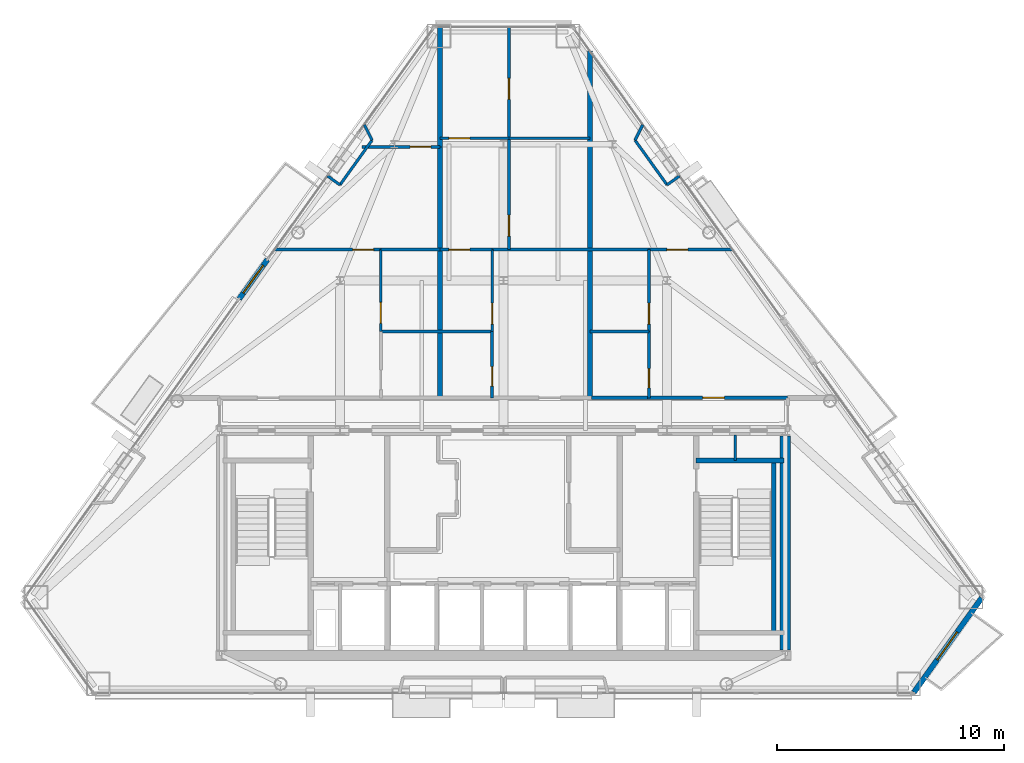
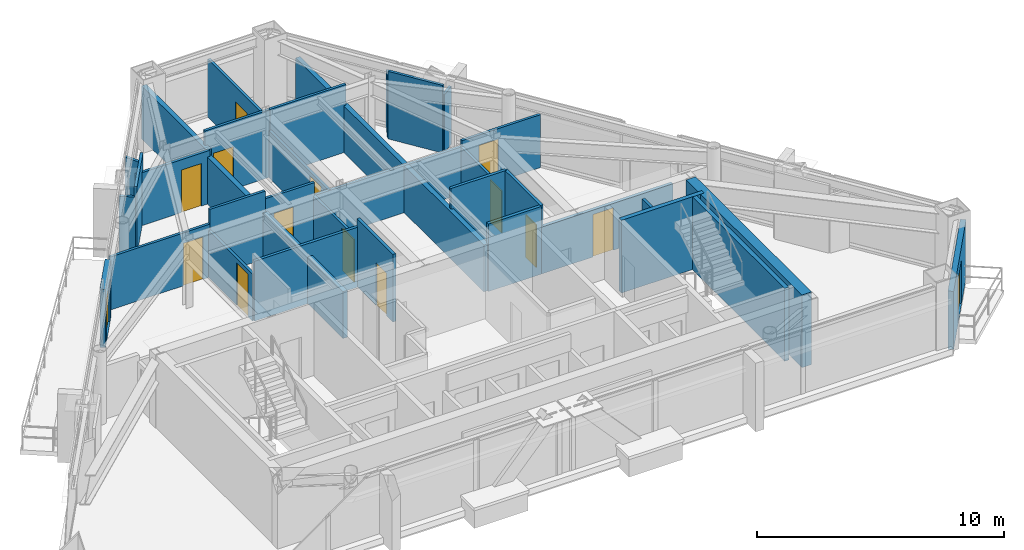
# One storey, part 9 of 12: 34 walls, 15 doors, 15 openings.
"""IFC4 building model written with IfcOpenShell, lengths in metres."""

from ifc_helpers import new_model, si_unit, direction, frame, frame_2d, origin, place, context, subcontext, project, spatial, rectangle, extrude, material, layer, layer_set, type_object, element, fill, save


model = new_model("IFC4")

# Units and contexts
model_context = context("Model", 3, precision=1e-05, world=origin(), true_north=direction((0.0, 1.0)))
body_context = subcontext(model_context, "Body", "Model", "MODEL_VIEW")
ifc_project = project(units=[si_unit("LENGTHUNIT", "METRE"), si_unit("AREAUNIT", "SQUARE_METRE"), si_unit("VOLUMEUNIT", "CUBIC_METRE"), si_unit("PLANEANGLEUNIT", "RADIAN"), si_unit("MASSUNIT", "GRAM", prefix="KILO")], contexts=[model_context])

# Site, building, storey
site_placement = place(None, origin())
site = spatial("IfcSite", under=ifc_project, at=site_placement, CompositionType="ELEMENT")
building_placement = place(site_placement, origin())
building = spatial("IfcBuilding", under=site, at=building_placement, Name="Talgorran Terracotta Tower", CompositionType="ELEMENT")
storey_placement = place(building_placement, frame((0.0, 0.0, 221.699951171875)))
storey = spatial("IfcBuildingStorey", under=building, at=storey_placement, Name="L58", CompositionType="ELEMENT", Elevation=221.699951171875)

# Wall, opening, door
ifc_material_1 = material(Name="Concrete C40/50", Category="concrete")
ifc_layer_1 = layer(ifc_material_1, 0.239990234375, Name="WT_BALCONY_SPAND")
ifc_layer_set_1 = layer_set([ifc_layer_1], Name="Concrete C40/50")
wall_type_1 = type_object("IfcWallType", Name="WT_BALCONY_SPAND", PredefinedType="STANDARD", material=ifc_layer_set_1)
wall_1_placement = place(storey_placement, frame((-10.3896484375, 3.3251953125, -0.014892578125), z_axis=(0.0, 0.0, 1.0), x_axis=(-0.583092889468, -0.812405491274, 0.0)))
wall_1 = element("IfcWall", 1, at=wall_1_placement, inside=storey, type_object=wall_type_1, Name="WL-L58-BALP-BAL-NW", PredefinedType="STANDARD", context=body_context, shape_type="SweptSolid", body=[
    extrude(rectangle(XDim=2.139892578125, YDim=0.239990234375, at=frame_2d((1.06982421875, 0.0))), origin(), (0.0, 0.0, 1.0), 2.8779296875),
])
opening_1_placement = place(wall_1_placement, frame((0.320068359375, 0.0, 0.014892578125)))
opening_1 = element("IfcOpeningElement", 2, at=opening_1_placement, cuts=wall_1, Name="Opening D-BAL-L58-2", PredefinedType="OPENING", context=body_context, shape_type="SweptSolid", body=[
    extrude(rectangle(XDim=1.506, YDim=2.203951171875, at=frame_2d((0.75, 1.10205078125))), frame((0.0, 0.1298828125, 0.0), z_axis=(0.0, -1.0, 0.0), x_axis=(1.0, 0.0, 0.0)), (0.0, 0.0, 1.0), 0.260009765625),
])
ifc_material_2 = material(Name="Thermally Broken Aluminium", Category="aluminium")
door_type_1 = type_object("IfcDoorType", Name="DT_BALC_1500", OperationType="SLIDING_TO_RIGHT", PredefinedType="DOOR", material=ifc_material_2)
door_1_placement = place(opening_1_placement, origin())
door_1 = element("IfcDoor", 3, at=door_1_placement, inside=storey, type_object=door_type_1, Name="DR-L58-BAL-BAL-NW", OperationType="SLIDING_TO_RIGHT", OverallHeight=2.199951171875, OverallWidth=1.5, PredefinedType="DOOR", context=body_context, shape_type="SweptSolid", body=[
    extrude(rectangle(XDim=1.5, YDim=2.199951171875, at=frame_2d((0.75, 1.10009765625))), frame((0.0, 0.02490234375, 0.0), z_axis=(0.0, -1.0, 0.0), x_axis=(1.0, 0.0, 0.0)), (0.0, 0.0, 1.0), 0.050048828125),
])
fill(opening_1, door_1)

wall_2_placement = place(storey_placement, frame((18.05859375, -15.7197265625, -0.014892578125), z_axis=(0.0, 0.0, 1.0), x_axis=(0.583136392473, 0.812374265824, 0.0)))
wall_2 = element("IfcWall", 4, at=wall_2_placement, inside=storey, type_object=wall_type_1, Name="WL-L58-BALP-BAL-SE", PredefinedType="STANDARD", context=body_context, shape_type="SweptSolid", body=[
    extrude(rectangle(XDim=5.105712890625, YDim=0.239990234375, at=frame_2d((2.552734375, 0.0))), origin(), (0.0, 0.0, 1.0), 2.8779296875),
])
opening_2_placement = place(wall_2_placement, frame((1.7587890625, 0.0, 0.014892578125)))
opening_2 = element("IfcOpeningElement", 5, at=opening_2_placement, cuts=wall_2, Name="Opening D-BAL-L58-3", PredefinedType="OPENING", context=body_context, shape_type="SweptSolid", body=[
    extrude(rectangle(XDim=1.506, YDim=2.203951171875, at=frame_2d((0.75, 1.10205078125))), frame((0.0, 0.1298828125, 0.0), z_axis=(0.0, -1.0, 0.0), x_axis=(1.0, 0.0, 0.0)), (0.0, 0.0, 1.0), 0.260009765625),
])
door_2_placement = place(opening_2_placement, origin())
door_2 = element("IfcDoor", 6, at=door_2_placement, inside=storey, type_object=door_type_1, Name="DR-L58-BAL-BAL-SE", OperationType="SLIDING_TO_RIGHT", OverallHeight=2.199951171875, OverallWidth=1.5, PredefinedType="DOOR", context=body_context, shape_type="SweptSolid", body=[
    extrude(rectangle(XDim=1.5, YDim=2.199951171875, at=frame_2d((0.75, 1.10009765625))), frame((0.0, 0.02490234375, 0.0), z_axis=(0.0, -1.0, 0.0), x_axis=(1.0, 0.0, 0.0)), (0.0, 0.0, 1.0), 0.050048828125),
])
fill(opening_2, door_2)

# Walls
ifc_material_3 = material(Name="Concrete C50/60", Category="concrete")
ifc_layer_2 = layer(ifc_material_3, 0.199951171875, Name="WT_CORE_200")
ifc_layer_set_2 = layer_set([ifc_layer_2], Name="Concrete C50/60")
wall_type_2 = type_object("IfcWallType", Name="WT_CORE_200", PredefinedType="SOLIDWALL", material=ifc_layer_set_2)
wall_3_placement = place(storey_placement, frame((8.47998046875, -5.52001953125, 0.0), z_axis=(0.0, 0.0, 1.0), x_axis=(1.0, 0.0, 0.0)))
element("IfcWall", 7, at=wall_3_placement, inside=storey, type_object=wall_type_2, Name="WL-L58-CW-ST2-N", PredefinedType="SOLIDWALL", context=body_context, shape_type="SweptSolid", body=[
    extrude(rectangle(XDim=3.8701171875, YDim=0.199951171875, at=frame_2d((1.93505859375, 0.0))), origin(), (0.0, 0.0, 1.0), 3.60009765625),
])
wall_4_placement = place(storey_placement, frame((11.89990234375, -13.10009765625, 0.0), z_axis=(0.0, 0.0, 1.0), x_axis=(0.0, 1.0, 0.0)))
element("IfcWall", 8, at=wall_4_placement, inside=storey, type_object=wall_type_2, Name="WL-L58-CW-ST2-E", PredefinedType="SOLIDWALL", context=body_context, shape_type="SweptSolid", body=[
    extrude(rectangle(XDim=7.580078125, YDim=0.199951171875, at=frame_2d((3.7900390625, 0.0))), origin(), (0.0, 0.0, 1.0), 3.60009765625),
])
ifc_material_4 = material(Name="Concrete C65/80", Category="concrete")
ifc_layer_3 = layer(ifc_material_4, 0.449951171875, Name="WT_CORE_EXT")
ifc_layer_set_3 = layer_set([ifc_layer_3], Name="Concrete C65/80")
wall_type_3 = type_object("IfcWallType", Name="WT_CORE_EXT", PredefinedType="SHEAR", material=ifc_layer_set_3)
wall_5_placement = place(storey_placement, frame((12.39990234375, -13.85009765625, 0.0), z_axis=(0.0, 0.0, 1.0), x_axis=(0.0, 1.0, 0.0)))
element("IfcWall", 9, at=wall_5_placement, inside=storey, type_object=wall_type_3, Name="WL-L58-CW-OUT-E", PredefinedType="SHEAR", context=body_context, shape_type="SweptSolid", body=[
    extrude(rectangle(XDim=9.400146484375, YDim=0.449951171875, at=frame_2d((4.7001953125, 0.0))), origin(), (0.0, 0.0, 1.0), 3.60009765625),
])

# Wall, opening, door
ifc_material_5 = material(Name="Fire-Rated Steel Stud Plasterboard", Category="steel")
ifc_layer_4 = layer(ifc_material_5, 0.14990234375, Name="WT_FIRE_150")
ifc_layer_set_4 = layer_set([ifc_layer_4], Name="Fire-Rated Steel Stud Plasterboard")
wall_type_4 = type_object("IfcWallType", Name="WT_FIRE_150", PredefinedType="PARTITIONING", material=ifc_layer_set_4)
wall_6_placement = place(storey_placement, frame((6.340087890625, -2.760009765625, 0.0), z_axis=(0.0, 0.0, 1.0), x_axis=(1.0, 0.0, 0.0)))
wall_6 = element("IfcWall", 10, at=wall_6_placement, inside=storey, type_object=wall_type_4, Name="WL-L58-W-L58-R08", PredefinedType="PARTITIONING", context=body_context, shape_type="SweptSolid", body=[
    extrude(rectangle(XDim=6.159912109375, YDim=0.14990234375, at=frame_2d((3.080078125, 0.0))), origin(), (0.0, 0.0, 1.0), 2.320068359375),
])
opening_3_placement = place(wall_6_placement, frame((2.426025390625, 0.0, 0.0)))
opening_3 = element("IfcOpeningElement", 11, at=opening_3_placement, cuts=wall_6, Name="Opening DR-L58-R16", PredefinedType="OPENING", context=body_context, shape_type="SweptSolid", body=[
    extrude(rectangle(XDim=0.955951171875, YDim=2.10409765625, at=frame_2d((0.47509765625, 1.052001953125))), frame((0.0, 0.0849609375, 0.0), z_axis=(0.0, -1.0, 0.0), x_axis=(1.0, 0.0, 0.0)), (0.0, 0.0, 1.0), 0.169921875),
])
ifc_material_6 = material(Name="Fire-Rated Timber Core", Category="wood")
door_type_2 = type_object("IfcDoorType", Name="DT_FIRE_950", OperationType="NOTDEFINED", PredefinedType="DOOR", material=ifc_material_6)
door_3_placement = place(opening_3_placement, origin())
door_3 = element("IfcDoor", 12, at=door_3_placement, inside=storey, type_object=door_type_2, Name="DR-L58-R16", OperationType="SINGLE_SWING_RIGHT", OverallHeight=2.10009765625, OverallWidth=0.949951171875, PredefinedType="DOOR", context=body_context, shape_type="SweptSolid", body=[
    extrude(rectangle(XDim=0.949951171875, YDim=2.10009765625, at=frame_2d((0.47509765625, 1.050048828125))), frame((0.0, 0.02490234375, 0.0), z_axis=(0.0, -1.0, 0.0), x_axis=(1.0, 0.0, 0.0)), (0.0, 0.0, 1.0), 0.050048828125),
])
fill(opening_3, door_3)

# Walls
wall_7_placement = place(storey_placement, frame((3.862060546875, -2.760009765625, 0.0), z_axis=(0.0, 0.0, 1.0), x_axis=(1.0, 0.0, 0.0)))
element("IfcWall", 13, at=wall_7_placement, inside=storey, type_object=wall_type_4, Name="WL-L58-W-L58-R07", PredefinedType="PARTITIONING", context=body_context, shape_type="SweptSolid", body=[
    extrude(rectangle(XDim=2.475830078125, YDim=0.14990234375, at=frame_2d((1.23779296875, 0.0))), origin(), (0.0, 0.0, 1.0), 3.344970703125),
])
ifc_material_7 = material(Name="Acoustic Masonry and Plasterboard", Category="masonry")
ifc_layer_5 = layer(ifc_material_7, 0.219970703125, Name="WT_PARTY_220")
ifc_layer_set_5 = layer_set([ifc_layer_5], Name="Acoustic Masonry and Plasterboard")
wall_type_5 = type_object("IfcWallType", Name="WT_PARTY_220", PredefinedType="PARTITIONING", material=ifc_layer_set_5)
wall_8_placement = place(storey_placement, frame((-2.800048828125, 8.280029296875, 0.0), z_axis=(0.0, 0.0, 1.0), x_axis=(0.0, 1.0, 0.0)))
element("IfcWall", 14, at=wall_8_placement, inside=storey, type_object=wall_type_5, Name="WL-L58-W-L58-R21", PredefinedType="PARTITIONING", context=body_context, shape_type="SweptSolid", body=[
    extrude(rectangle(XDim=5.27294921875, YDim=0.219970703125, at=frame_2d((2.636474609375, 0.0))), origin(), (0.0, 0.0, 1.0), 2.6201171875),
])
wall_9_placement = place(storey_placement, frame((3.800048828125, -2.760009765625, 0.0), z_axis=(0.0, 0.0, 1.0), x_axis=(0.0, 1.0, 0.0)))
element("IfcWall", 15, at=wall_9_placement, inside=storey, type_object=wall_type_5, Name="WL-L58-W-L58-R33", PredefinedType="PARTITIONING", context=body_context, shape_type="SweptSolid", body=[
    extrude(rectangle(XDim=15.265625, YDim=0.219970703125, at=frame_2d((7.6328125, 0.0))), origin(), (0.0, 0.0, 1.0), 2.320068359375),
])
wall_10_placement = place(storey_placement, frame((-2.800048828125, -2.760009765625, 0.0), z_axis=(0.0, 0.0, 1.0), x_axis=(0.0, 1.0, 0.0)))
element("IfcWall", 16, at=wall_10_placement, inside=storey, type_object=wall_type_5, Name="WL-L58-W-L58-R19", PredefinedType="PARTITIONING", context=body_context, shape_type="SweptSolid", body=[
    extrude(rectangle(XDim=11.0400390625, YDim=0.219970703125, at=frame_2d((5.52001953125, 0.0))), origin(), (0.0, 0.0, 1.0), 2.320068359375),
])
ifc_material_8 = material(Name="Insulated Steel Stud Plasterboard", Category="steel")
ifc_layer_6 = layer(ifc_material_8, 0.1201171875, Name="WT_PART_120")
ifc_layer_set_6 = layer_set([ifc_layer_6], Name="Insulated Steel Stud Plasterboard")
wall_type_6 = type_object("IfcWallType", Name="WT_PART_120", PredefinedType="PARTITIONING", material=ifc_layer_set_6)
wall_11_placement = place(storey_placement, frame((10.199951171875, -5.52001953125, 0.0), z_axis=(0.0, 0.0, 1.0), x_axis=(0.0, 1.0, 0.0)))
element("IfcWall", 17, at=wall_11_placement, inside=storey, type_object=wall_type_6, Name="WL-L58-CW-CSE-DIV", PredefinedType="PARTITIONING", context=body_context, shape_type="SweptSolid", body=[
    extrude(rectangle(XDim=1.1201171875, YDim=0.1201171875, at=frame_2d((0.56005859375, 0.0))), origin(), (0.0, 0.0, 1.0), 3.344970703125),
])

# Wall, opening, door
wall_12_placement = place(storey_placement, frame((0.239990234375, 3.760009765625, 0.0), z_axis=(0.0, 0.0, 1.0), x_axis=(0.0, 1.0, 0.0)))
wall_12 = element("IfcWall", 18, at=wall_12_placement, inside=storey, type_object=wall_type_6, Name="WL-L58-W-L58-R30", PredefinedType="PARTITIONING", context=body_context, shape_type="SweptSolid", body=[
    extrude(rectangle(XDim=4.89990234375, YDim=0.1201171875, at=frame_2d((2.449951171875, 0.0))), origin(), (0.0, 0.0, 1.0), 2.320068359375),
])
opening_4_placement = place(wall_12_placement, frame((0.597412109375, 0.0, 0.0)))
opening_4 = element("IfcOpeningElement", 19, at=opening_4_placement, cuts=wall_12, Name="Opening DR-L58-R12", PredefinedType="OPENING", context=body_context, shape_type="SweptSolid", body=[
    extrude(rectangle(XDim=0.925921875, YDim=2.10409765625, at=frame_2d((0.4599609375, 1.052001953125))), frame((0.0, 0.070068359375, 0.0), z_axis=(0.0, -1.0, 0.0), x_axis=(1.0, 0.0, 0.0)), (0.0, 0.0, 1.0), 0.14013671875),
])
ifc_material_9 = material(Name="Solid-Core Painted Timber", Category="wood")
door_type_3 = type_object("IfcDoorType", Name="DT_INT_920", OperationType="NOTDEFINED", PredefinedType="DOOR", material=ifc_material_9)
door_4_placement = place(opening_4_placement, origin())
door_4 = element("IfcDoor", 20, at=door_4_placement, inside=storey, type_object=door_type_3, Name="DR-L58-R12", OperationType="SINGLE_SWING_RIGHT", OverallHeight=2.10009765625, OverallWidth=0.919921875, PredefinedType="DOOR", context=body_context, shape_type="SweptSolid", body=[
    extrude(rectangle(XDim=0.919921875, YDim=2.10009765625, at=frame_2d((0.4599609375, 1.050048828125))), frame((0.0, 0.02490234375, 0.0), z_axis=(0.0, -1.0, 0.0), x_axis=(1.0, 0.0, 0.0)), (0.0, 0.0, 1.0), 0.050048828125),
])
fill(opening_4, door_4)

wall_13_placement = place(storey_placement, frame((0.239990234375, 8.659912109375, 0.0), z_axis=(0.0, 0.0, 1.0), x_axis=(0.0, 1.0, 0.0)))
wall_13 = element("IfcWall", 21, at=wall_13_placement, inside=storey, type_object=wall_type_6, Name="WL-L58-W-L58-R34", PredefinedType="PARTITIONING", context=body_context, shape_type="SweptSolid", body=[
    extrude(rectangle(XDim=4.89306640625, YDim=0.1201171875, at=frame_2d((2.446533203125, 0.0))), origin(), (0.0, 0.0, 1.0), 2.863037109375),
])
opening_5_placement = place(wall_13_placement, frame((1.717041015625, 0.0, 0.0)))
opening_5 = element("IfcOpeningElement", 22, at=opening_5_placement, cuts=wall_13, Name="Opening DR-L58-R13", PredefinedType="OPENING", context=body_context, shape_type="SweptSolid", body=[
    extrude(rectangle(XDim=0.925921875, YDim=2.10409765625, at=frame_2d((0.4599609375, 1.052001953125))), frame((0.0, 0.070068359375, 0.0), z_axis=(0.0, -1.0, 0.0), x_axis=(1.0, 0.0, 0.0)), (0.0, 0.0, 1.0), 0.14013671875),
])
door_5_placement = place(opening_5_placement, origin())
door_5 = element("IfcDoor", 23, at=door_5_placement, inside=storey, type_object=door_type_3, Name="DR-L58-R13", OperationType="SINGLE_SWING_LEFT", OverallHeight=2.10009765625, OverallWidth=0.919921875, PredefinedType="DOOR", context=body_context, shape_type="SweptSolid", body=[
    extrude(rectangle(XDim=0.919921875, YDim=2.10009765625, at=frame_2d((0.4599609375, 1.050048828125))), frame((0.0, 0.02490234375, 0.0), z_axis=(0.0, -1.0, 0.0), x_axis=(1.0, 0.0, 0.0)), (0.0, 0.0, 1.0), 0.050048828125),
])
fill(opening_5, door_5)

wall_14_placement = place(storey_placement, frame((-10.077392578125, 3.760009765625, 0.0), z_axis=(0.0, 0.0, 1.0), x_axis=(1.0, 0.0, 0.0)))
wall_14 = element("IfcWall", 24, at=wall_14_placement, inside=storey, type_object=wall_type_6, Name="WL-L58-W-L58-R17", PredefinedType="PARTITIONING", context=body_context, shape_type="SweptSolid", body=[
    extrude(rectangle(XDim=4.677490234375, YDim=0.1201171875, at=frame_2d((2.3388671875, 0.0))), origin(), (0.0, 0.0, 1.0), 2.6201171875),
])
opening_6_placement = place(wall_14_placement, frame((3.43896484375, 0.0, 0.0)))
opening_6 = element("IfcOpeningElement", 25, at=opening_6_placement, cuts=wall_14, Name="Opening DR-L58-R06", PredefinedType="OPENING", context=body_context, shape_type="SweptSolid", body=[
    extrude(rectangle(XDim=0.925921875, YDim=2.10409765625, at=frame_2d((0.4599609375, 1.052001953125))), frame((0.0, 0.070068359375, 0.0), z_axis=(0.0, -1.0, 0.0), x_axis=(1.0, 0.0, 0.0)), (0.0, 0.0, 1.0), 0.14013671875),
])
door_6_placement = place(opening_6_placement, origin())
door_6 = element("IfcDoor", 26, at=door_6_placement, inside=storey, type_object=door_type_3, Name="DR-L58-R06", OperationType="SINGLE_SWING_RIGHT", OverallHeight=2.10009765625, OverallWidth=0.919921875, PredefinedType="DOOR", context=body_context, shape_type="SweptSolid", body=[
    extrude(rectangle(XDim=0.919921875, YDim=2.10009765625, at=frame_2d((0.4599609375, 1.050048828125))), frame((0.0, 0.02490234375, 0.0), z_axis=(0.0, -1.0, 0.0), x_axis=(1.0, 0.0, 0.0)), (0.0, 0.0, 1.0), 0.050048828125),
])
fill(opening_6, door_6)

wall_15_placement = place(storey_placement, frame((6.39990234375, 3.760009765625, 0.0), z_axis=(0.0, 0.0, 1.0), x_axis=(1.0, 0.0, 0.0)))
wall_15 = element("IfcWall", 27, at=wall_15_placement, inside=storey, type_object=wall_type_6, Name="WL-L58-W-L58-R40", PredefinedType="PARTITIONING", context=body_context, shape_type="SweptSolid", body=[
    extrude(rectangle(XDim=3.677490234375, YDim=0.1201171875, at=frame_2d((1.8388671875, 0.0))), origin(), (0.0, 0.0, 1.0), 2.6201171875),
])
opening_7_placement = place(wall_15_placement, frame((0.790771484375, 0.0, 0.0)))
opening_7 = element("IfcOpeningElement", 28, at=opening_7_placement, cuts=wall_15, Name="Opening DR-L58-R17", PredefinedType="OPENING", context=body_context, shape_type="SweptSolid", body=[
    extrude(rectangle(XDim=0.925921875, YDim=2.10409765625, at=frame_2d((0.4599609375, 1.052001953125))), frame((0.0, 0.070068359375, 0.0), z_axis=(0.0, -1.0, 0.0), x_axis=(1.0, 0.0, 0.0)), (0.0, 0.0, 1.0), 0.14013671875),
])
door_7_placement = place(opening_7_placement, origin())
door_7 = element("IfcDoor", 29, at=door_7_placement, inside=storey, type_object=door_type_3, Name="DR-L58-R17", OperationType="SINGLE_SWING_LEFT", OverallHeight=2.10009765625, OverallWidth=0.919921875, PredefinedType="DOOR", context=body_context, shape_type="SweptSolid", body=[
    extrude(rectangle(XDim=0.919921875, YDim=2.10009765625, at=frame_2d((0.4599609375, 1.050048828125))), frame((0.0, 0.02490234375, 0.0), z_axis=(0.0, -1.0, 0.0), x_axis=(1.0, 0.0, 0.0)), (0.0, 0.0, 1.0), 0.050048828125),
])
fill(opening_7, door_7)

# Wall
wall_16_placement = place(storey_placement, frame((-0.5, 3.760009765625, 0.0), z_axis=(0.0, 0.0, 1.0), x_axis=(1.0, 0.0, 0.0)))
element("IfcWall", 30, at=wall_16_placement, inside=storey, type_object=wall_type_6, Name="WL-L58-W-L58-R27", PredefinedType="PARTITIONING", context=body_context, shape_type="SweptSolid", body=[
    extrude(rectangle(XDim=6.89990234375, YDim=0.1201171875, at=frame_2d((3.449951171875, 0.0))), origin(), (0.0, 0.0, 1.0), 2.320068359375),
])

# Wall, opening, door
wall_17_placement = place(storey_placement, frame((-5.39990234375, 0.159912109375, 0.0), z_axis=(0.0, 0.0, 1.0), x_axis=(0.0, 1.0, 0.0)))
wall_17 = element("IfcWall", 31, at=wall_17_placement, inside=storey, type_object=wall_type_6, Name="WL-L58-W-L58-R14", PredefinedType="PARTITIONING", context=body_context, shape_type="SweptSolid", body=[
    extrude(rectangle(XDim=3.60009765625, YDim=0.1201171875, at=frame_2d((1.800048828125, 0.0))), origin(), (0.0, 0.0, 1.0), 2.320068359375),
])
opening_8_placement = place(wall_17_placement, frame((0.360107421875, 0.0, 0.0)))
opening_8 = element("IfcOpeningElement", 32, at=opening_8_placement, cuts=wall_17, Name="Opening DR-L58-R04", PredefinedType="OPENING", context=body_context, shape_type="SweptSolid", body=[
    extrude(rectangle(XDim=0.925921875, YDim=2.10409765625, at=frame_2d((0.4599609375, 1.052001953125))), frame((0.0, 0.070068359375, 0.0), z_axis=(0.0, -1.0, 0.0), x_axis=(1.0, 0.0, 0.0)), (0.0, 0.0, 1.0), 0.14013671875),
])
door_8_placement = place(opening_8_placement, origin())
door_8 = element("IfcDoor", 33, at=door_8_placement, inside=storey, type_object=door_type_3, Name="DR-L58-R04", OperationType="SINGLE_SWING_RIGHT", OverallHeight=2.10009765625, OverallWidth=0.919921875, PredefinedType="DOOR", context=body_context, shape_type="SweptSolid", body=[
    extrude(rectangle(XDim=0.919921875, YDim=2.10009765625, at=frame_2d((0.4599609375, 1.050048828125))), frame((0.0, 0.02490234375, 0.0), z_axis=(0.0, -1.0, 0.0), x_axis=(1.0, 0.0, 0.0)), (0.0, 0.0, 1.0), 0.050048828125),
])
fill(opening_8, door_8)

wall_18_placement = place(storey_placement, frame((-0.5, 0.159912109375, 0.0), z_axis=(0.0, 0.0, 1.0), x_axis=(0.0, 1.0, 0.0)))
wall_18 = element("IfcWall", 34, at=wall_18_placement, inside=storey, type_object=wall_type_6, Name="WL-L58-W-L58-R24", PredefinedType="PARTITIONING", context=body_context, shape_type="SweptSolid", body=[
    extrude(rectangle(XDim=3.60009765625, YDim=0.1201171875, at=frame_2d((1.800048828125, 0.0))), origin(), (0.0, 0.0, 1.0), 2.320068359375),
])
opening_9_placement = place(wall_18_placement, frame((0.320068359375, 0.0, 0.0)))
opening_9 = element("IfcOpeningElement", 35, at=opening_9_placement, cuts=wall_18, Name="Opening DR-L58-R09", PredefinedType="OPENING", context=body_context, shape_type="SweptSolid", body=[
    extrude(rectangle(XDim=0.925921875, YDim=2.10409765625, at=frame_2d((0.4599609375, 1.052001953125))), frame((0.0, 0.070068359375, 0.0), z_axis=(0.0, -1.0, 0.0), x_axis=(1.0, 0.0, 0.0)), (0.0, 0.0, 1.0), 0.14013671875),
])
door_9_placement = place(opening_9_placement, origin())
door_9 = element("IfcDoor", 36, at=door_9_placement, inside=storey, type_object=door_type_3, Name="DR-L58-R09", OperationType="SINGLE_SWING_LEFT", OverallHeight=2.10009765625, OverallWidth=0.919921875, PredefinedType="DOOR", context=body_context, shape_type="SweptSolid", body=[
    extrude(rectangle(XDim=0.919921875, YDim=2.10009765625, at=frame_2d((0.4599609375, 1.050048828125))), frame((0.0, 0.02490234375, 0.0), z_axis=(0.0, -1.0, 0.0), x_axis=(1.0, 0.0, 0.0)), (0.0, 0.0, 1.0), 0.050048828125),
])
fill(opening_9, door_9)

wall_19_placement = place(storey_placement, frame((6.39990234375, 0.159912109375, 0.0), z_axis=(0.0, 0.0, 1.0), x_axis=(0.0, 1.0, 0.0)))
wall_19 = element("IfcWall", 37, at=wall_19_placement, inside=storey, type_object=wall_type_6, Name="WL-L58-W-L58-R38", PredefinedType="PARTITIONING", context=body_context, shape_type="SweptSolid", body=[
    extrude(rectangle(XDim=3.60009765625, YDim=0.1201171875, at=frame_2d((1.800048828125, 0.0))), origin(), (0.0, 0.0, 1.0), 2.320068359375),
])
opening_10_placement = place(wall_19_placement, frame((0.320068359375, 0.0, 0.0)))
opening_10 = element("IfcOpeningElement", 38, at=opening_10_placement, cuts=wall_19, Name="Opening DR-L58-R15", PredefinedType="OPENING", context=body_context, shape_type="SweptSolid", body=[
    extrude(rectangle(XDim=0.925921875, YDim=2.10409765625, at=frame_2d((0.4599609375, 1.052001953125))), frame((0.0, 0.070068359375, 0.0), z_axis=(0.0, -1.0, 0.0), x_axis=(1.0, 0.0, 0.0)), (0.0, 0.0, 1.0), 0.14013671875),
])
door_10_placement = place(opening_10_placement, origin())
door_10 = element("IfcDoor", 39, at=door_10_placement, inside=storey, type_object=door_type_3, Name="DR-L58-R15", OperationType="SINGLE_SWING_LEFT", OverallHeight=2.10009765625, OverallWidth=0.919921875, PredefinedType="DOOR", context=body_context, shape_type="SweptSolid", body=[
    extrude(rectangle(XDim=0.919921875, YDim=2.10009765625, at=frame_2d((0.4599609375, 1.050048828125))), frame((0.0, 0.02490234375, 0.0), z_axis=(0.0, -1.0, 0.0), x_axis=(1.0, 0.0, 0.0)), (0.0, 0.0, 1.0), 0.050048828125),
])
fill(opening_10, door_10)

# Wall
wall_20_placement = place(storey_placement, frame((0.239990234375, 8.659912109375, 0.0), z_axis=(0.0, 0.0, 1.0), x_axis=(1.0, 0.0, 0.0)))
element("IfcWall", 40, at=wall_20_placement, inside=storey, type_object=wall_type_6, Name="WL-L58-W-L58-R32", PredefinedType="PARTITIONING", context=body_context, shape_type="SweptSolid", body=[
    extrude(rectangle(XDim=3.56005859375, YDim=0.1201171875, at=frame_2d((1.780029296875, 0.0))), origin(), (0.0, 0.0, 1.0), 3.344970703125),
])

# Wall, opening, door
wall_21_placement = place(storey_placement, frame((-6.219970703125, 8.280029296875, 0.0), z_axis=(0.0, 0.0, 1.0), x_axis=(1.0, 0.0, 0.0)))
wall_21 = element("IfcWall", 41, at=wall_21_placement, inside=storey, type_object=wall_type_6, Name="WL-L58-W-L58-R18", PredefinedType="PARTITIONING", context=body_context, shape_type="SweptSolid", body=[
    extrude(rectangle(XDim=3.419921875, YDim=0.1201171875, at=frame_2d((1.7099609375, 0.0))), origin(), (0.0, 0.0, 1.0), 2.6201171875),
])
opening_11_placement = place(wall_21_placement, frame((2.10546875, 0.0, 0.0)))
opening_11 = element("IfcOpeningElement", 42, at=opening_11_placement, cuts=wall_21, Name="Opening DR-L58-R07", PredefinedType="OPENING", context=body_context, shape_type="SweptSolid", body=[
    extrude(rectangle(XDim=0.925921875, YDim=2.10409765625, at=frame_2d((0.4599609375, 1.052001953125))), frame((0.0, 0.070068359375, 0.0), z_axis=(0.0, -1.0, 0.0), x_axis=(1.0, 0.0, 0.0)), (0.0, 0.0, 1.0), 0.14013671875),
])
door_11_placement = place(opening_11_placement, origin())
door_11 = element("IfcDoor", 43, at=door_11_placement, inside=storey, type_object=door_type_3, Name="DR-L58-R07", OperationType="SINGLE_SWING_LEFT", OverallHeight=2.10009765625, OverallWidth=0.919921875, PredefinedType="DOOR", context=body_context, shape_type="SweptSolid", body=[
    extrude(rectangle(XDim=0.919921875, YDim=2.10009765625, at=frame_2d((0.4599609375, 1.050048828125))), frame((0.0, 0.02490234375, 0.0), z_axis=(0.0, -1.0, 0.0), x_axis=(1.0, 0.0, 0.0)), (0.0, 0.0, 1.0), 0.050048828125),
])
fill(opening_11, door_11)

wall_22_placement = place(storey_placement, frame((-2.800048828125, 8.659912109375, 0.0), z_axis=(0.0, 0.0, 1.0), x_axis=(1.0, 0.0, 0.0)))
wall_22 = element("IfcWall", 44, at=wall_22_placement, inside=storey, type_object=wall_type_6, Name="WL-L58-W-L58-R31", PredefinedType="PARTITIONING", context=body_context, shape_type="SweptSolid", body=[
    extrude(rectangle(XDim=3.0400390625, YDim=0.1201171875, at=frame_2d((1.52001953125, 0.0))), origin(), (0.0, 0.0, 1.0), 3.344970703125),
])
opening_12_placement = place(wall_22_placement, frame((0.39990234375, 0.0, 0.0)))
opening_12 = element("IfcOpeningElement", 45, at=opening_12_placement, cuts=wall_22, Name="Opening DR-L58-R11", PredefinedType="OPENING", context=body_context, shape_type="SweptSolid", body=[
    extrude(rectangle(XDim=0.925921875, YDim=2.10409765625, at=frame_2d((0.4599609375, 1.052001953125))), frame((0.0, 0.070068359375, 0.0), z_axis=(0.0, -1.0, 0.0), x_axis=(1.0, 0.0, 0.0)), (0.0, 0.0, 1.0), 0.14013671875),
])
door_12_placement = place(opening_12_placement, origin())
door_12 = element("IfcDoor", 46, at=door_12_placement, inside=storey, type_object=door_type_3, Name="DR-L58-R11", OperationType="SINGLE_SWING_LEFT", OverallHeight=2.10009765625, OverallWidth=0.919921875, PredefinedType="DOOR", context=body_context, shape_type="SweptSolid", body=[
    extrude(rectangle(XDim=0.919921875, YDim=2.10009765625, at=frame_2d((0.4599609375, 1.050048828125))), frame((0.0, 0.02490234375, 0.0), z_axis=(0.0, -1.0, 0.0), x_axis=(1.0, 0.0, 0.0)), (0.0, 0.0, 1.0), 0.050048828125),
])
fill(opening_12, door_12)

# Walls
wall_23_placement = place(storey_placement, frame((-5.39990234375, 3.760009765625, 0.0), z_axis=(0.0, 0.0, 1.0), x_axis=(1.0, 0.0, 0.0)))
element("IfcWall", 47, at=wall_23_placement, inside=storey, type_object=wall_type_6, Name="WL-L58-W-L58-R15", PredefinedType="PARTITIONING", context=body_context, shape_type="SweptSolid", body=[
    extrude(rectangle(XDim=2.599853515625, YDim=0.1201171875, at=frame_2d((1.2998046875, 0.0))), origin(), (0.0, 0.0, 1.0), 3.344970703125),
])
for number, where, z_axis, x_axis, name in (
    (48, (-5.78515625, 8.573974609375, 0.0), (0.0, 0.0, 1.0), (-0.583135111371, -0.81237518542, 0.0), "WL-L58-BW-L58-15"),
    (49, (7.19677734375, 6.607421875, 0.0), (0.0, 0.0, 1.0), (-0.583135111371, 0.81237518542, 0.0), "WL-L58-BW-L58-18"),
):
    element("IfcWall", number, at=place(storey_placement, frame(where, z_axis=z_axis, x_axis=x_axis)), inside=storey, type_object=wall_type_6, Name=name, PredefinedType="PARTITIONING", context=body_context, shape_type="SweptSolid", body=[
        extrude(rectangle(XDim=2.420654296875, YDim=0.1201171875, at=frame_2d((1.21044921875, 0.0))), origin(), (0.0, 0.0, 1.0), 3.344970703125),
    ])

# Wall, opening, door
wall_24_placement = place(storey_placement, frame((-2.800048828125, 3.760009765625, 0.0), z_axis=(0.0, 0.0, 1.0), x_axis=(1.0, 0.0, 0.0)))
wall_24 = element("IfcWall", 50, at=wall_24_placement, inside=storey, type_object=wall_type_6, Name="WL-L58-W-L58-R25", PredefinedType="PARTITIONING", context=body_context, shape_type="SweptSolid", body=[
    extrude(rectangle(XDim=2.300048828125, YDim=0.1201171875, at=frame_2d((1.14990234375, 0.0))), origin(), (0.0, 0.0, 1.0), 2.96435546875),
])
opening_13_placement = place(wall_24_placement, frame((0.395263671875, 0.0, 0.0)))
opening_13 = element("IfcOpeningElement", 51, at=opening_13_placement, cuts=wall_24, Name="Opening DR-L58-R18", PredefinedType="OPENING", context=body_context, shape_type="SweptSolid", body=[
    extrude(rectangle(XDim=0.925921875, YDim=2.10409765625, at=frame_2d((0.4599609375, 1.052001953125))), frame((0.0, 0.070068359375, 0.0), z_axis=(0.0, -1.0, 0.0), x_axis=(1.0, 0.0, 0.0)), (0.0, 0.0, 1.0), 0.14013671875),
])
door_13_placement = place(opening_13_placement, origin())
door_13 = element("IfcDoor", 52, at=door_13_placement, inside=storey, type_object=door_type_3, Name="DR-L58-R18", OperationType="SINGLE_SWING_RIGHT", OverallHeight=2.10009765625, OverallWidth=0.919921875, PredefinedType="DOOR", context=body_context, shape_type="SweptSolid", body=[
    extrude(rectangle(XDim=0.919921875, YDim=2.10009765625, at=frame_2d((0.4599609375, 1.050048828125))), frame((0.0, 0.02490234375, 0.0), z_axis=(0.0, -1.0, 0.0), x_axis=(1.0, 0.0, 0.0)), (0.0, 0.0, 1.0), 0.050048828125),
])
fill(opening_13, door_13)

# Walls
for number, where, z_axis, x_axis, name in (
    (53, (-6.123779296875, 9.2509765625, 0.0), (0.0, 0.0, 1.0), (0.447342600971, -0.894362676634, 0.0), "WL-L58-BW-L58-14"),
    (54, (5.78515625, 8.573974609375, 0.0), (0.0, 0.0, 1.0), (0.447342600971, 0.894362676634, 0.0), "WL-L58-BW-L58-19"),
):
    element("IfcWall", number, at=place(storey_placement, frame(where, z_axis=z_axis, x_axis=x_axis)), inside=storey, type_object=wall_type_6, Name=name, PredefinedType="PARTITIONING", context=body_context, shape_type="SweptSolid", body=[
        extrude(rectangle(XDim=0.757080078125, YDim=0.1201171875, at=frame_2d((0.37841796875, 0.0))), origin(), (0.0, 0.0, 1.0), 2.863037109375),
    ])
for number, where, z_axis, x_axis, name in (
    (55, (-7.19677734375, 6.607421875, 0.0), (0.0, 0.0, 1.0), (-0.812549510699, 0.582892179277, 0.0), "WL-L58-BW-L58-16"),
    (56, (7.740966796875, 6.997802734375, 0.0), (0.0, 0.0, 1.0), (-0.812549510699, -0.582892179277, 0.0), "WL-L58-BW-L58-17"),
):
    element("IfcWall", number, at=place(storey_placement, frame(where, z_axis=z_axis, x_axis=x_axis)), inside=storey, type_object=wall_type_6, Name=name, PredefinedType="PARTITIONING", context=body_context, shape_type="SweptSolid", body=[
        extrude(rectangle(XDim=0.669677734375, YDim=0.1201171875, at=frame_2d((0.3349609375, 0.0))), origin(), (0.0, 0.0, 1.0), 2.863037109375),
    ])

# Wall, opening, door
ifc_material_10 = material(Name="Moisture-Resistant Stud Wall")
ifc_layer_7 = layer(ifc_material_10, 0.135009765625, Name="WT_PART_135")
ifc_layer_set_7 = layer_set([ifc_layer_7], Name="Moisture-Resistant Stud Wall")
wall_type_7 = type_object("IfcWallType", Name="WT_PART_135", PredefinedType="PARTITIONING", material=ifc_layer_set_7)
wall_25_placement = place(storey_placement, frame((-0.5, -2.760009765625, 0.0), z_axis=(0.0, 0.0, 1.0), x_axis=(0.0, 1.0, 0.0)))
wall_25 = element("IfcWall", 57, at=wall_25_placement, inside=storey, type_object=wall_type_7, Name="WL-L58-W-L58-R23", PredefinedType="PARTITIONING", context=body_context, shape_type="SweptSolid", body=[
    extrude(rectangle(XDim=2.919921875, YDim=0.135009765625, at=frame_2d((1.4599609375, 0.0))), origin(), (0.0, 0.0, 1.0), 3.344970703125),
])
opening_14_placement = place(wall_25_placement, frame((0.517822265625, 0.0, 0.0)))
opening_14 = element("IfcOpeningElement", 58, at=opening_14_placement, cuts=wall_25, Name="Opening DR-L58-R08", PredefinedType="OPENING", context=body_context, shape_type="SweptSolid", body=[
    extrude(rectangle(XDim=0.85609765625, YDim=2.10409765625, at=frame_2d((0.425048828125, 1.052001953125))), frame((0.0, 0.07763671875, 0.0), z_axis=(0.0, -1.0, 0.0), x_axis=(1.0, 0.0, 0.0)), (0.0, 0.0, 1.0), 0.155029296875),
])
ifc_material_11 = material(Name="Moisture-Resistant Solid Timber", Category="wood")
door_type_4 = type_object("IfcDoorType", Name="DT_INT_850", OperationType="NOTDEFINED", PredefinedType="DOOR", material=ifc_material_11)
door_14_placement = place(opening_14_placement, origin())
door_14 = element("IfcDoor", 59, at=door_14_placement, inside=storey, type_object=door_type_4, Name="DR-L58-R08", OperationType="SINGLE_SWING_RIGHT", OverallHeight=2.10009765625, OverallWidth=0.85009765625, PredefinedType="DOOR", context=body_context, shape_type="SweptSolid", body=[
    extrude(rectangle(XDim=0.85009765625, YDim=2.10009765625, at=frame_2d((0.425048828125, 1.050048828125))), frame((0.0, 0.02490234375, 0.0), z_axis=(0.0, -1.0, 0.0), x_axis=(1.0, 0.0, 0.0)), (0.0, 0.0, 1.0), 0.050048828125),
])
fill(opening_14, door_14)

wall_26_placement = place(storey_placement, frame((6.39990234375, -2.760009765625, 0.0), z_axis=(0.0, 0.0, 1.0), x_axis=(0.0, 1.0, 0.0)))
wall_26 = element("IfcWall", 60, at=wall_26_placement, inside=storey, type_object=wall_type_7, Name="WL-L58-W-L58-R37", PredefinedType="PARTITIONING", context=body_context, shape_type="SweptSolid", body=[
    extrude(rectangle(XDim=2.919921875, YDim=0.135009765625, at=frame_2d((1.4599609375, 0.0))), origin(), (0.0, 0.0, 1.0), 3.344970703125),
])
opening_15_placement = place(wall_26_placement, frame((0.438232421875, 0.0, 0.0)))
opening_15 = element("IfcOpeningElement", 61, at=opening_15_placement, cuts=wall_26, Name="Opening DR-L58-R14", PredefinedType="OPENING", context=body_context, shape_type="SweptSolid", body=[
    extrude(rectangle(XDim=0.85609765625, YDim=2.10409765625, at=frame_2d((0.425048828125, 1.052001953125))), frame((0.0, 0.07763671875, 0.0), z_axis=(0.0, -1.0, 0.0), x_axis=(1.0, 0.0, 0.0)), (0.0, 0.0, 1.0), 0.155029296875),
])
door_15_placement = place(opening_15_placement, origin())
door_15 = element("IfcDoor", 62, at=door_15_placement, inside=storey, type_object=door_type_4, Name="DR-L58-R14", OperationType="SINGLE_SWING_RIGHT", OverallHeight=2.10009765625, OverallWidth=0.85009765625, PredefinedType="DOOR", context=body_context, shape_type="SweptSolid", body=[
    extrude(rectangle(XDim=0.85009765625, YDim=2.10009765625, at=frame_2d((0.425048828125, 1.050048828125))), frame((0.0, 0.02490234375, 0.0), z_axis=(0.0, -1.0, 0.0), x_axis=(1.0, 0.0, 0.0)), (0.0, 0.0, 1.0), 0.050048828125),
])
fill(opening_15, door_15)

# Walls
wall_27_placement = place(storey_placement, frame((-5.39990234375, 0.159912109375, 0.0), z_axis=(0.0, 0.0, 1.0), x_axis=(1.0, 0.0, 0.0)))
element("IfcWall", 63, at=wall_27_placement, inside=storey, type_object=wall_type_7, Name="WL-L58-W-L58-R11", PredefinedType="PARTITIONING", context=body_context, shape_type="SweptSolid", body=[
    extrude(rectangle(XDim=4.89990234375, YDim=0.135009765625, at=frame_2d((2.449951171875, 0.0))), origin(), (0.0, 0.0, 1.0), 2.96435546875),
])
wall_28_placement = place(storey_placement, frame((3.800048828125, 0.159912109375, 0.0), z_axis=(0.0, 0.0, 1.0), x_axis=(1.0, 0.0, 0.0)))
element("IfcWall", 64, at=wall_28_placement, inside=storey, type_object=wall_type_7, Name="WL-L58-W-L58-R36", PredefinedType="PARTITIONING", context=body_context, shape_type="SweptSolid", body=[
    extrude(rectangle(XDim=2.599853515625, YDim=0.135009765625, at=frame_2d((1.2998046875, 0.0))), origin(), (0.0, 0.0, 1.0), 3.344970703125),
])

save(model, "model.ifc")
